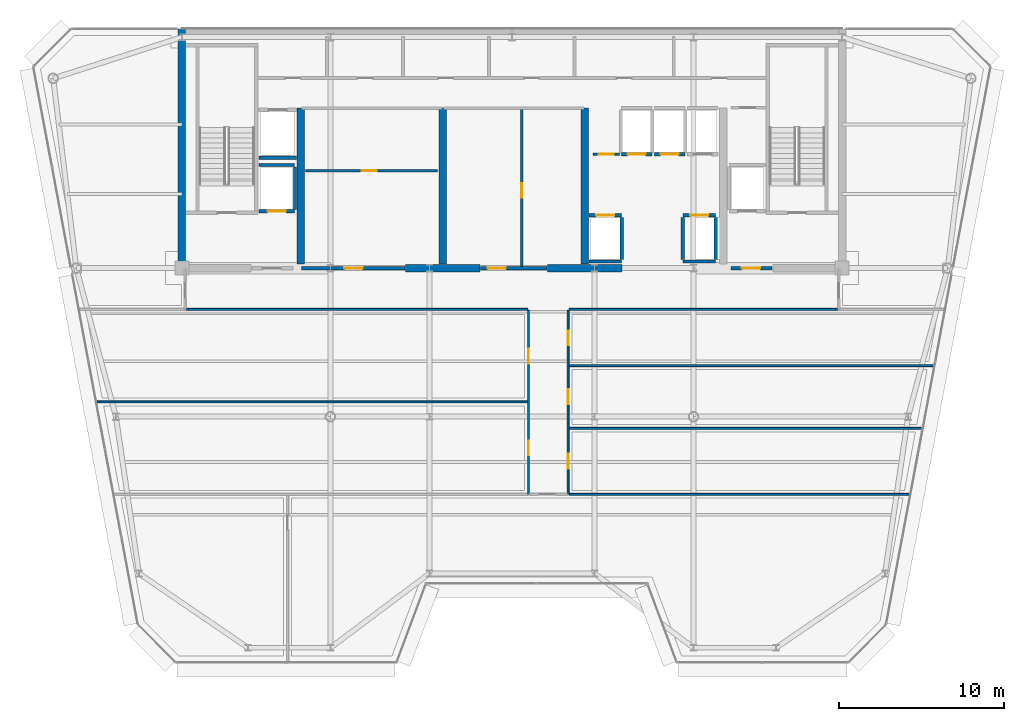
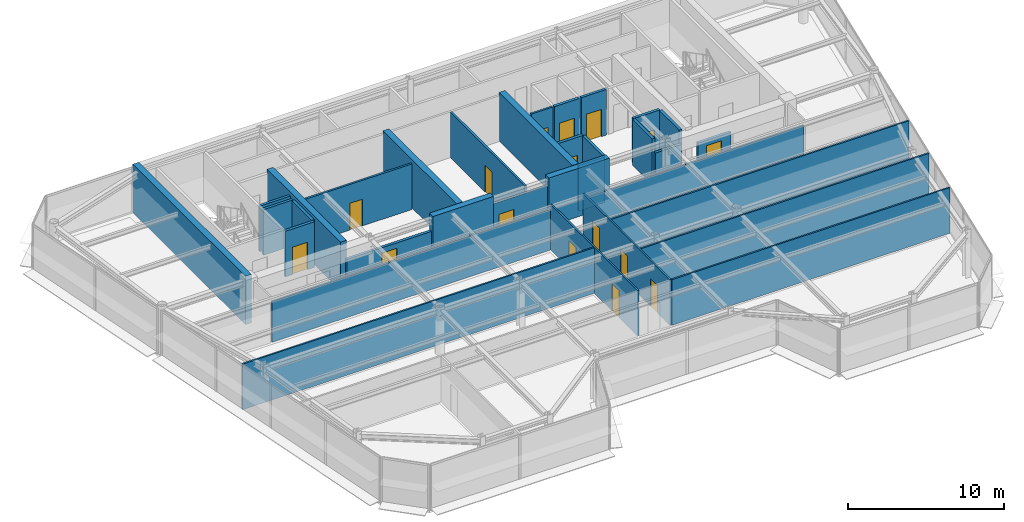
# One storey, part 11 of 20: 33 walls, 16 doors, 16 openings.
"""IFC4 building model written with IfcOpenShell, lengths in metres."""

import ifcopenshell
import ifcopenshell.guid

model = None  # the IFC model being written
_history = None  # IfcOwnerHistory: only IFC2X3 demands one
_inside = {}  # id of a spatial element -> (the spatial element, [elements in it])
_under = {}  # id of a project, library or spatial element -> (it, [spatial elements below it])
_declared = {}  # id of a project -> (the project, [libraries it declares])
_typed = {}  # id of a type object -> (the type object, [elements of that type])
_made_of = {}  # id of a material, layer set ... -> (it, [elements and type objects made of it])


def new_model(schema):
    """Start an empty IFC model of exactly this schema.

    Asked for "IFC4X3", IfcOpenShell would pick the latest addendum, in which some entities
    have other attributes; the version numbers below select the first issue.
    IFC2X3 requires an IfcOwnerHistory on every rooted entity: one is made here for all.
    """
    global model, _history
    if schema == "IFC4X3":
        model = ifcopenshell.file(schema_version=(4, 3, 0, 0))
    else:
        model = ifcopenshell.file(schema=schema)
    _inside.clear()
    _under.clear()
    _declared.clear()
    _typed.clear()
    _made_of.clear()
    _history = None
    if model.schema == "IFC2X3":
        org = make("IfcOrganization", Name="unknown")
        user = make(
            "IfcPersonAndOrganization",
            ThePerson=make("IfcPerson", FamilyName="unknown"),
            TheOrganization=org,
        )
        app = make(
            "IfcApplication",
            ApplicationDeveloper=org,
            Version="unknown",
            ApplicationFullName="unknown",
            ApplicationIdentifier="unknown",
        )
        _history = make(
            "IfcOwnerHistory",
            OwningUser=user,
            OwningApplication=app,
            ChangeAction="ADDED",
            CreationDate=0,
        )
    return model


def make(cls, **values):
    """One entity of the class cls with the attributes given. An attribute that is None is left unset."""
    return model.create_entity(
        cls, **{name: value for name, value in values.items() if value is not None}
    )


def rooted(cls, **values):
    """An entity with a GlobalId (a new one), such as an element, a storey or a relation."""
    return make(cls, GlobalId=ifcopenshell.guid.new(), OwnerHistory=_history, **values)


def si_unit(unit_type, name, prefix=None):
    """IfcSIUnit, for example si_unit("LENGTHUNIT", "METRE", prefix="MILLI")."""
    return make("IfcSIUnit", UnitType=unit_type, Prefix=prefix, Name=name)


def assignment(units):
    """IfcUnitAssignment: the units of a project."""
    return None if units is None else make("IfcUnitAssignment", Units=units)


def point(xyz):
    """IfcCartesianPoint."""
    return None if xyz is None else make("IfcCartesianPoint", Coordinates=xyz)


def direction(xyz):
    """IfcDirection."""
    return None if xyz is None else make("IfcDirection", DirectionRatios=xyz)


def frame(location, z_axis=None, x_axis=None):
    """IfcAxis2Placement3D, a coordinate frame: its origin and axes. An axis left out is left unset."""
    return make(
        "IfcAxis2Placement3D",
        Location=point(location),
        Axis=direction(z_axis),
        RefDirection=direction(x_axis),
    )


def frame_2d(location, x_axis=None):
    """IfcAxis2Placement2D, a coordinate frame in the plane: its origin and x axis."""
    return make(
        "IfcAxis2Placement2D", Location=point(location), RefDirection=direction(x_axis)
    )


def origin():
    """The frame at (0, 0, 0) with its axes left unset."""
    return frame((0.0, 0.0, 0.0))


def place(relative_to, where):
    """IfcLocalPlacement: puts the frame where relative to a parent placement (None: the world)."""
    return make(
        "IfcLocalPlacement", PlacementRelTo=relative_to, RelativePlacement=where
    )


def context(
    kind, dimensions, precision=None, world=None, true_north=None, identifier=None
):
    """IfcGeometricRepresentationContext, for example the 3D "Model" context."""
    return make(
        "IfcGeometricRepresentationContext",
        ContextIdentifier=identifier,
        ContextType=kind,
        CoordinateSpaceDimension=dimensions,
        Precision=precision,
        WorldCoordinateSystem=world,
        TrueNorth=true_north,
    )


def subcontext(parent, identifier, kind, view, scale=None):
    """IfcGeometricRepresentationSubContext, for example "Body" below "Model"."""
    return make(
        "IfcGeometricRepresentationSubContext",
        ContextIdentifier=identifier,
        ContextType=kind,
        ParentContext=parent,
        TargetScale=scale,
        TargetView=view,
    )


def project(units=None, contexts=None):
    """IfcProject with its units and contexts."""
    return rooted(
        "IfcProject",
        Name="project",
        RepresentationContexts=contexts,
        UnitsInContext=assignment(units),
    )


def spatial(cls, under=None, at=None, **own):
    """A site, building, storey or space (cls), placed at a placement, below another one or the project."""
    s = rooted(cls, ObjectPlacement=at, **own)
    if under is not None:
        _under.setdefault(under.id(), (under, []))[1].append(s)
    return s


def profile(cls, at=None, kind="AREA", **sizes):
    """A parametric profile (cls). Its sizes go by their IFC names, for example OverallWidth=200.0."""
    return make(cls, ProfileType=kind, Position=at, **sizes)


def rectangle(**sizes):
    """IfcRectangleProfileDef."""
    return profile("IfcRectangleProfileDef", **sizes)


def extrude(swept, where, along, depth):
    """IfcExtrudedAreaSolid: the profile swept, set in the frame where, extruded along a direction by depth."""
    return make(
        "IfcExtrudedAreaSolid",
        SweptArea=swept,
        Position=where,
        ExtrudedDirection=direction(along),
        Depth=depth,
    )


def shape(context_of_items, identifier, shape_type, items):
    """IfcShapeRepresentation: the items that make up one representation, for example the "Body"."""
    return make(
        "IfcShapeRepresentation",
        ContextOfItems=context_of_items,
        RepresentationIdentifier=identifier,
        RepresentationType=shape_type,
        Items=items,
    )


def source(mapping_origin, context_of_items, identifier, shape_type, items):
    """IfcRepresentationMap: a shape defined once, which mapped items show again and again."""
    return make(
        "IfcRepresentationMap",
        MappingOrigin=mapping_origin,
        MappedRepresentation=shape(context_of_items, identifier, shape_type, items),
    )


def transform(
    local_origin,
    x_axis=None,
    y_axis=None,
    z_axis=None,
    scale=None,
    scale2=None,
    scale3=None,
    uniform=True,
):
    """IfcCartesianTransformationOperator3D, or its non-uniform kind. x_axis, y_axis, z_axis: its Axis1, 2, 3."""
    if uniform:
        return make(
            "IfcCartesianTransformationOperator3D",
            Axis1=direction(x_axis),
            Axis2=direction(y_axis),
            LocalOrigin=point(local_origin),
            Scale=scale,
            Axis3=direction(z_axis),
        )
    return make(
        "IfcCartesianTransformationOperator3DnonUniform",
        Axis1=direction(x_axis),
        Axis2=direction(y_axis),
        LocalOrigin=point(local_origin),
        Scale=scale,
        Axis3=direction(z_axis),
        Scale2=scale2,
        Scale3=scale3,
    )


def mapped(mapping_source, mapping_target):
    """IfcMappedItem: shows the shape of a source again, moved by a transform."""
    return make(
        "IfcMappedItem", MappingSource=mapping_source, MappingTarget=mapping_target
    )


def material(Name=None, Category=None):
    """IfcMaterial."""
    return make("IfcMaterial", Name=Name, Category=Category)


def layer(
    of_material, thickness, ventilated=None, Name=None, Category=None, Priority=None
):
    """IfcMaterialLayer: one layer of a wall or slab, of a material (None: an air gap)."""
    return make(
        "IfcMaterialLayer",
        Material=of_material,
        LayerThickness=thickness,
        IsVentilated=ventilated,
        Name=Name,
        Category=Category,
        Priority=Priority,
    )


def layer_set(layers, Name=None):
    """IfcMaterialLayerSet."""
    return make("IfcMaterialLayerSet", MaterialLayers=layers, LayerSetName=Name)


def made_of(thing, what):
    """Note that an element or type object is made of a material, layer set ...; save() writes the relation."""
    if what is not None:
        _made_of.setdefault(what.id(), (what, []))[1].append(thing)
    return thing


def type_object(cls, material=None, **own):
    """A type object (cls), such as IfcWallType, which elements share."""
    return made_of(rooted(cls, **own), material)


def element(
    cls,
    number,
    at=None,
    inside=None,
    cuts=None,
    type_object=None,
    material=None,
    context=None,
    identifier="Body",
    shape_type=None,
    held_by="IfcProductDefinitionShape",
    body=None,
    shapes=None,
    **own,
):
    """One element of the class cls, such as IfcWall. Its Tag is "e" and its number.

    at: its placement. inside: the storey or other place that contains it. cuts: it is an
    opening in that element (IfcRelVoidsElement). A single representation is given by context,
    identifier, shape_type and body (its items); several are given by shapes. held_by: the class
    of the entity that holds the representations. save() writes the other relations.
    """
    e = rooted(cls, Tag="e%d" % number, ObjectPlacement=at, **own)
    if body is not None:
        shapes = [shape(context, identifier, shape_type, body)]
    if shapes is not None:
        e.Representation = make(held_by, Representations=shapes)
    if inside is not None:
        _inside.setdefault(inside.id(), (inside, []))[1].append(e)
    if cuts is not None:
        rooted(
            "IfcRelVoidsElement", RelatingBuildingElement=cuts, RelatedOpeningElement=e
        )
    if type_object is not None:
        _typed.setdefault(type_object.id(), (type_object, []))[1].append(e)
    return made_of(e, material)


def fill(opening, filler):
    """IfcRelFillsElement: the door or window that sits in an opening."""
    return rooted(
        "IfcRelFillsElement",
        RelatingOpeningElement=opening,
        RelatedBuildingElement=filler,
    )


def aggregate(whole, parts):
    """IfcRelAggregates: a whole, such as a stair, and the parts it consists of."""
    return rooted("IfcRelAggregates", RelatingObject=whole, RelatedObjects=parts)


def save(model, path):
    """Write the relations noted so far, then the file.

    IfcRelAggregates (storeys below a building ...), IfcRelContainedInSpatialStructure (elements
    in a storey), IfcRelDefinesByType, IfcRelAssociatesMaterial and IfcRelDeclares: one each for
    every whole, place, type object, material and project.
    """
    for whole, parts in _under.values():
        aggregate(whole, parts)
    for where, things in _inside.values():
        rooted(
            "IfcRelContainedInSpatialStructure",
            RelatedElements=things,
            RelatingStructure=where,
        )
    for kind, things in _typed.values():
        rooted("IfcRelDefinesByType", RelatedObjects=things, RelatingType=kind)
    for what, things in _made_of.values():
        rooted("IfcRelAssociatesMaterial", RelatedObjects=things, RelatingMaterial=what)
    for by, libraries in _declared.values():
        rooted("IfcRelDeclares", RelatingContext=by, RelatedDefinitions=libraries)
    model.write(path)


model = new_model("IFC4")

# Units and contexts
model_context = context("Model", 3, precision=1e-05, world=origin(), true_north=direction((0.0, 1.0)))
body_context = subcontext(model_context, "Body", "Model", "MODEL_VIEW")
ifc_project = project(units=[si_unit("LENGTHUNIT", "METRE"), si_unit("AREAUNIT", "SQUARE_METRE"), si_unit("VOLUMEUNIT", "CUBIC_METRE"), si_unit("PLANEANGLEUNIT", "RADIAN"), si_unit("MASSUNIT", "GRAM", prefix="KILO")], contexts=[model_context])

# Site, building, storey
site_placement = place(None, origin())
site = spatial("IfcSite", under=ifc_project, at=site_placement, CompositionType="ELEMENT")
building_placement = place(site_placement, origin())
building = spatial("IfcBuilding", under=site, at=building_placement, Name="Vaeldorn Concourse Tower", CompositionType="ELEMENT")
storey_placement = place(building_placement, frame((0.0, 0.0, 295.39990234375)))
storey = spatial("IfcBuildingStorey", under=building, at=storey_placement, Name="L76", CompositionType="ELEMENT", Elevation=295.39990234375)

# Walls
ifc_material_1 = material(Name="Concrete C50/60", Category="concrete")
ifc_layer_1 = layer(ifc_material_1, 0.449951171875)
ifc_layer_set_1 = layer_set([ifc_layer_1], Name="Concrete C50/60")
wall_type_1 = type_object("IfcWallType", Name="WL-CORE-450", PredefinedType="SHEAR", material=ifc_layer_set_1)
wall_1_placement = place(storey_placement, frame((14.0, 36.5, 0.0), z_axis=(0.0, 0.0, 1.0), x_axis=(0.0, 1.0, 0.0)))
element("IfcWall", 1, at=wall_1_placement, inside=storey, type_object=wall_type_1, Name="Rear Core Shear Wall L76 W1", PredefinedType="SHEAR", context=body_context, shape_type="SweptSolid", body=[
    extrude(rectangle(XDim=14.5, YDim=0.449951171875, at=frame_2d((7.25, 0.0))), origin(), (0.0, 0.0, 1.0), 3.800048828125),
])
for number, where, z_axis, x_axis, name in (
    (2, (27.550048828125, 36.5, 0.0), (0.0, 0.0, 1.0), (1.0, 0.0, 0.0), "Rear Core Shear Wall L76 S2"),
    (3, (36.14990234375, 36.5, 0.0), (0.0, 0.0, 1.0), (1.0, 0.0, 0.0), "Rear Core Shear Wall L76 S3"),
):
    element("IfcWall", number, at=place(storey_placement, frame(where, z_axis=z_axis, x_axis=x_axis)), inside=storey, type_object=wall_type_1, Name=name, PredefinedType="SHEAR", context=body_context, shape_type="SweptSolid", body=[
        extrude(rectangle(XDim=4.5, YDim=0.449951171875, at=frame_2d((2.25, 0.0))), origin(), (0.0, 0.0, 1.0), 3.800048828125),
    ])
for number, where, z_axis, x_axis, name in (
    (4, (21.199951171875, 36.7451171875, 0.0), (0.0, 0.0, 1.0), (0.0, 1.0, 0.0), "Rear Core Shear Wall L76 M1"),
    (5, (29.800048828125, 36.7451171875, 0.0), (0.0, 0.0, 1.0), (0.0, 1.0, 0.0), "Rear Core Shear Wall L76 M2"),
    (6, (38.39990234375, 36.7451171875, 0.0), (0.0, 0.0, 1.0), (0.0, 1.0, 0.0), "Rear Core Shear Wall L76 M3"),
):
    element("IfcWall", number, at=place(storey_placement, frame(where, z_axis=z_axis, x_axis=x_axis)), inside=storey, type_object=wall_type_1, Name=name, PredefinedType="SHEAR", context=body_context, shape_type="SweptSolid", body=[
        extrude(rectangle(XDim=9.454833984375, YDim=0.449951171875, at=frame_2d((4.7275390625, 0.0))), origin(), (0.0, 0.0, 1.0), 3.800048828125),
    ])
ifc_material_2 = material(Name="Gypsum Board Partition", Category="gypsum")
ifc_layer_2 = layer(ifc_material_2, 0.1201171875)
ifc_layer_set_2 = layer_set([ifc_layer_2], Name="Gypsum Board Partition")
wall_type_2 = type_object("IfcWallType", Name="WL-PART-120", PredefinedType="PARTITIONING", material=ifc_layer_set_2)
wall_2_placement = place(storey_placement, frame((14.260009765625, 34.0, 0.0), z_axis=(0.0, 0.0, 1.0), x_axis=(1.0, 0.0, 0.0)))
element("IfcWall", 7, at=wall_2_placement, inside=storey, type_object=wall_type_2, Name="Interior Wall PW-L76-C3SW", PredefinedType="PARTITIONING", context=body_context, shape_type="SweptSolid", body=[
    extrude(rectangle(XDim=20.679931640625, YDim=0.1201171875, at=frame_2d((10.33984375, 0.0))), origin(), (0.0, 0.0, 1.0), 3.210205078125),
])
wall_3_placement = place(storey_placement, frame((37.4599609375, 34.0, 0.0), z_axis=(0.0, 0.0, 1.0), x_axis=(1.0, 0.0, 0.0)))
element("IfcWall", 8, at=wall_3_placement, inside=storey, type_object=wall_type_2, Name="Interior Wall PW-L76-C3SE", PredefinedType="PARTITIONING", context=body_context, shape_type="SweptSolid", body=[
    extrude(rectangle(XDim=16.280029296875, YDim=0.1201171875, at=frame_2d((8.14013671875, 0.0))), origin(), (0.0, 0.0, 1.0), 3.210205078125),
])

# Wall, openings, doors
wall_4_placement = place(storey_placement, frame((35.0, 22.800048828125, 0.0), z_axis=(0.0, 0.0, 1.0), x_axis=(0.0, 1.0, 0.0)))
wall_4 = element("IfcWall", 9, at=wall_4_placement, inside=storey, type_object=wall_type_2, Name="Interior Wall PW-L76-CSPW", PredefinedType="PARTITIONING", context=body_context, shape_type="SweptSolid", body=[
    extrude(rectangle(XDim=11.139892578125, YDim=0.1201171875, at=frame_2d((5.56982421875, 0.0))), origin(), (0.0, 0.0, 1.0), 3.580078125),
])
opening_1_placement = place(wall_4_placement, frame((2.35009765625, 0.0, 0.0)))
opening_1 = element("IfcOpeningElement", 10, at=opening_1_placement, cuts=wall_4, Name="Opening D-03", PredefinedType="OPENING", context=body_context, shape_type="SweptSolid", body=[
    extrude(rectangle(XDim=0.89990234375, YDim=2.14990234375, at=frame_2d((0.449951171875, 1.074951171875))), frame((0.0, 0.070068359375, 0.0), z_axis=(0.0, -1.0, 0.0), x_axis=(1.0, 0.0, 0.0)), (0.0, 0.0, 1.0), 0.14013671875),
])
opening_2_placement = place(wall_4_placement, frame((7.919921875, 0.0, 0.0)))
opening_2 = element("IfcOpeningElement", 11, at=opening_2_placement, cuts=wall_4, Name="Opening D-03", PredefinedType="OPENING", context=body_context, shape_type="SweptSolid", body=[
    extrude(rectangle(XDim=0.89990234375, YDim=2.14990234375, at=frame_2d((0.449951171875, 1.074951171875))), frame((0.0, 0.070068359375, 0.0), z_axis=(0.0, -1.0, 0.0), x_axis=(1.0, 0.0, 0.0)), (0.0, 0.0, 1.0), 0.14013671875),
])
ifc_material_3 = material(Name="Acoustic Bronze-Framed Glass Door", Category="glass")
door_type_1 = type_object("IfcDoorType", Name="DR-INT-900", OperationType="NOTDEFINED", PredefinedType="DOOR", material=ifc_material_3)
shared_shape_1 = source(origin(), body_context, "Body", "SweptSolid", [
    extrude(rectangle(XDim=0.89990234375, YDim=2.14990234375, at=frame_2d((0.449951171875, 1.074951171875))), frame((0.0, 0.02490234375, 0.0), z_axis=(0.0, -1.0, 0.0), x_axis=(1.0, 0.0, 0.0)), (0.0, 0.0, 1.0), 0.050048828125),
])
door_1_placement = place(opening_1_placement, origin())
door_1 = element("IfcDoor", 12, at=door_1_placement, inside=storey, type_object=door_type_1, Name="Interior Door DR-L76-Z3W1", OperationType="SINGLE_SWING_LEFT", OverallHeight=2.14990234375, OverallWidth=0.89990234375, PredefinedType="DOOR", context=body_context, shape_type="MappedRepresentation", body=[
    mapped(shared_shape_1, transform((0.0, 0.0, 0.0), scale=1.0)),
])
fill(opening_1, door_1)
door_2_placement = place(opening_2_placement, origin())
door_2 = element("IfcDoor", 13, at=door_2_placement, inside=storey, type_object=door_type_1, Name="Interior Door DR-L76-Z3W2", OperationType="SINGLE_SWING_RIGHT", OverallHeight=2.14990234375, OverallWidth=0.89990234375, PredefinedType="DOOR", context=body_context, shape_type="MappedRepresentation", body=[
    mapped(shared_shape_1, transform((0.0, 0.0, 0.0), scale=1.0)),
])
fill(opening_2, door_2)

wall_5_placement = place(storey_placement, frame((37.39990234375, 22.800048828125, 0.0), z_axis=(0.0, 0.0, 1.0), x_axis=(0.0, 1.0, 0.0)))
wall_5 = element("IfcWall", 14, at=wall_5_placement, inside=storey, type_object=wall_type_2, Name="Interior Wall PW-L76-CSPE", PredefinedType="PARTITIONING", context=body_context, shape_type="SweptSolid", body=[
    extrude(rectangle(XDim=11.139892578125, YDim=0.1201171875, at=frame_2d((5.56982421875, 0.0))), origin(), (0.0, 0.0, 1.0), 3.580078125),
])
opening_3_placement = place(wall_5_placement, frame((1.550048828125, 0.0, 0.0)))
opening_3 = element("IfcOpeningElement", 15, at=opening_3_placement, cuts=wall_5, Name="Opening D-03", PredefinedType="OPENING", context=body_context, shape_type="SweptSolid", body=[
    extrude(rectangle(XDim=0.89990234375, YDim=2.14990234375, at=frame_2d((0.449951171875, 1.074951171875))), frame((0.0, 0.070068359375, 0.0), z_axis=(0.0, -1.0, 0.0), x_axis=(1.0, 0.0, 0.0)), (0.0, 0.0, 1.0), 0.14013671875),
])
opening_4_placement = place(wall_5_placement, frame((5.449951171875, 0.0, 0.0)))
opening_4 = element("IfcOpeningElement", 16, at=opening_4_placement, cuts=wall_5, Name="Opening D-03", PredefinedType="OPENING", context=body_context, shape_type="SweptSolid", body=[
    extrude(rectangle(XDim=0.89990234375, YDim=2.14990234375, at=frame_2d((0.449951171875, 1.074951171875))), frame((0.0, 0.070068359375, 0.0), z_axis=(0.0, -1.0, 0.0), x_axis=(1.0, 0.0, 0.0)), (0.0, 0.0, 1.0), 0.14013671875),
])
opening_5_placement = place(wall_5_placement, frame((9.02001953125, 0.0, 0.0)))
opening_5 = element("IfcOpeningElement", 17, at=opening_5_placement, cuts=wall_5, Name="Opening D-03", PredefinedType="OPENING", context=body_context, shape_type="SweptSolid", body=[
    extrude(rectangle(XDim=0.89990234375, YDim=2.14990234375, at=frame_2d((0.449951171875, 1.074951171875))), frame((0.0, 0.070068359375, 0.0), z_axis=(0.0, -1.0, 0.0), x_axis=(1.0, 0.0, 0.0)), (0.0, 0.0, 1.0), 0.14013671875),
])
door_3_placement = place(opening_3_placement, origin())
door_3 = element("IfcDoor", 18, at=door_3_placement, inside=storey, type_object=door_type_1, Name="Interior Door DR-L76-Z3E1", OperationType="SINGLE_SWING_RIGHT", OverallHeight=2.14990234375, OverallWidth=0.89990234375, PredefinedType="DOOR", context=body_context, shape_type="MappedRepresentation", body=[
    mapped(shared_shape_1, transform((0.0, 0.0, 0.0), scale=1.0)),
])
fill(opening_3, door_3)
door_4_placement = place(opening_4_placement, origin())
door_4 = element("IfcDoor", 19, at=door_4_placement, inside=storey, type_object=door_type_1, Name="Interior Door DR-L76-Z3E2", OperationType="SINGLE_SWING_LEFT", OverallHeight=2.14990234375, OverallWidth=0.89990234375, PredefinedType="DOOR", context=body_context, shape_type="MappedRepresentation", body=[
    mapped(shared_shape_1, transform((0.0, 0.0, 0.0), scale=1.0)),
])
fill(opening_4, door_4)
door_5_placement = place(opening_5_placement, origin())
door_5 = element("IfcDoor", 20, at=door_5_placement, inside=storey, type_object=door_type_1, Name="Interior Door DR-L76-Z3E3", OperationType="SINGLE_SWING_RIGHT", OverallHeight=2.14990234375, OverallWidth=0.89990234375, PredefinedType="DOOR", context=body_context, shape_type="MappedRepresentation", body=[
    mapped(shared_shape_1, transform((0.0, 0.0, 0.0), scale=1.0)),
])
fill(opening_5, door_5)

# Walls
wall_6_placement = place(storey_placement, frame((8.84521484375, 28.39990234375, 0.0), z_axis=(0.0, 0.0, 1.0), x_axis=(1.0, 0.0, 0.0)))
element("IfcWall", 21, at=wall_6_placement, inside=storey, type_object=wall_type_2, Name="Interior Wall PW-L76-Z3WY1", PredefinedType="PARTITIONING", context=body_context, shape_type="SweptSolid", body=[
    extrude(rectangle(XDim=26.0947265625, YDim=0.1201171875, at=frame_2d((13.04736328125, 0.0))), origin(), (0.0, 0.0, 1.0), 3.580078125),
])
wall_7_placement = place(storey_placement, frame((37.4599609375, 26.800048828125, 0.0), z_axis=(0.0, 0.0, 1.0), x_axis=(1.0, 0.0, 0.0)))
element("IfcWall", 22, at=wall_7_placement, inside=storey, type_object=wall_type_2, Name="Interior Wall PW-L76-Z3EY1", PredefinedType="PARTITIONING", context=body_context, shape_type="SweptSolid", body=[
    extrude(rectangle(XDim=21.394775390625, YDim=0.1201171875, at=frame_2d((10.697265625, 0.0))), origin(), (0.0, 0.0, 1.0), 3.580078125),
])
wall_8_placement = place(storey_placement, frame((37.4599609375, 30.60009765625, 0.0), z_axis=(0.0, 0.0, 1.0), x_axis=(1.0, 0.0, 0.0)))
element("IfcWall", 23, at=wall_8_placement, inside=storey, type_object=wall_type_2, Name="Interior Wall PW-L76-Z3EY2", PredefinedType="PARTITIONING", context=body_context, shape_type="SweptSolid", body=[
    extrude(rectangle(XDim=22.107177734375, YDim=0.1201171875, at=frame_2d((11.0537109375, 0.0))), origin(), (0.0, 0.0, 1.0), 3.580078125),
])
wall_9_placement = place(storey_placement, frame((37.4599609375, 22.800048828125, 0.0), z_axis=(0.0, 0.0, 1.0), x_axis=(1.0, 0.0, 0.0)))
element("IfcWall", 24, at=wall_9_placement, inside=storey, type_object=wall_type_2, Name="Interior Wall PW-L76-Z3SEL", PredefinedType="PARTITIONING", context=body_context, shape_type="SweptSolid", body=[
    extrude(rectangle(XDim=20.64501953125, YDim=0.1201171875, at=frame_2d((10.322509765625, 0.0))), origin(), (0.0, 0.0, 1.0), 3.580078125),
])

# Wall, opening, door
ifc_layer_3 = layer(ifc_material_2, 0.14990234375)
ifc_layer_set_3 = layer_set([ifc_layer_3], Name="Gypsum Board Partition")
wall_type_3 = type_object("IfcWallType", Name="WL-PART-150", PredefinedType="PARTITIONING", material=ifc_layer_set_3)
wall_10_placement = place(storey_placement, frame((21.5, 42.39990234375, 0.0), z_axis=(0.0, 0.0, 1.0), x_axis=(1.0, 0.0, 0.0)))
wall_10 = element("IfcWall", 25, at=wall_10_placement, inside=storey, type_object=wall_type_3, Name="Interior Wall CW-L76-R1M", PredefinedType="PARTITIONING", context=body_context, shape_type="SweptSolid", body=[
    extrude(rectangle(XDim=8.0, YDim=0.14990234375, at=frame_2d((4.0, 0.0))), origin(), (0.0, 0.0, 1.0), 3.580078125),
])
opening_6_placement = place(wall_10_placement, frame((3.39990234375, 0.0, 0.0)))
opening_6 = element("IfcOpeningElement", 26, at=opening_6_placement, cuts=wall_10, Name="Opening D-02", PredefinedType="OPENING", context=body_context, shape_type="SweptSolid", body=[
    extrude(rectangle(XDim=0.89990234375, YDim=2.10009765625, at=frame_2d((0.449951171875, 1.050048828125))), frame((0.0, 0.0849609375, 0.0), z_axis=(0.0, -1.0, 0.0), x_axis=(1.0, 0.0, 0.0)), (0.0, 0.0, 1.0), 0.169921875),
])
ifc_material_4 = material(Name="Fire-Rated Timber Leaf", Category="wood")
door_type_2 = type_object("IfcDoorType", Name="DR-FD30-900", OperationType="NOTDEFINED", PredefinedType="DOOR", material=ifc_material_4)
shared_shape_2 = source(origin(), body_context, "Body", "SweptSolid", [
    extrude(rectangle(XDim=0.89990234375, YDim=2.10009765625, at=frame_2d((0.449951171875, 1.050048828125))), frame((0.0, 0.02490234375, 0.0), z_axis=(0.0, -1.0, 0.0), x_axis=(1.0, 0.0, 0.0)), (0.0, 0.0, 1.0), 0.050048828125),
])
door_6_placement = place(opening_6_placement, origin())
door_6 = element("IfcDoor", 27, at=door_6_placement, inside=storey, type_object=door_type_2, Name="Interior Door DR-L76-R1M", OperationType="SINGLE_SWING_RIGHT", OverallHeight=2.10009765625, OverallWidth=0.89990234375, PredefinedType="DOOR", context=body_context, shape_type="MappedRepresentation", body=[
    mapped(shared_shape_2, transform((0.0, 0.0, 0.0), scale=1.0)),
])
fill(opening_6, door_6)

wall_11_placement = place(storey_placement, frame((34.60009765625, 36.56005859375, 0.0), z_axis=(0.0, 0.0, 1.0), x_axis=(0.0, 1.0, 0.0)))
wall_11 = element("IfcWall", 28, at=wall_11_placement, inside=storey, type_object=wall_type_3, Name="Interior Wall CW-L76-R2M", PredefinedType="PARTITIONING", context=body_context, shape_type="SweptSolid", body=[
    extrude(rectangle(XDim=9.579833984375, YDim=0.14990234375, at=frame_2d((4.7900390625, 0.0))), origin(), (0.0, 0.0, 1.0), 3.580078125),
])
opening_7_placement = place(wall_11_placement, frame((4.199951171875, 0.0, 0.0)))
opening_7 = element("IfcOpeningElement", 29, at=opening_7_placement, cuts=wall_11, Name="Opening D-02", PredefinedType="OPENING", context=body_context, shape_type="SweptSolid", body=[
    extrude(rectangle(XDim=0.89990234375, YDim=2.10009765625, at=frame_2d((0.449951171875, 1.050048828125))), frame((0.0, 0.0849609375, 0.0), z_axis=(0.0, -1.0, 0.0), x_axis=(1.0, 0.0, 0.0)), (0.0, 0.0, 1.0), 0.169921875),
])
door_7_placement = place(opening_7_placement, origin())
door_7 = element("IfcDoor", 30, at=door_7_placement, inside=storey, type_object=door_type_2, Name="Interior Door DR-L76-R2E", OperationType="SINGLE_SWING_RIGHT", OverallHeight=2.10009765625, OverallWidth=0.89990234375, PredefinedType="DOOR", context=body_context, shape_type="MappedRepresentation", body=[
    mapped(shared_shape_2, transform((0.0, 0.0, 0.0), scale=1.0)),
])
fill(opening_7, door_7)

wall_12_placement = place(storey_placement, frame((38.919921875, 43.39990234375, 0.0), z_axis=(0.0, 0.0, 1.0), x_axis=(1.0, 0.0, 0.0)))
wall_12 = element("IfcWall", 31, at=wall_12_placement, inside=storey, type_object=wall_type_3, Name="Interior Wall CW-L76-CCLINK", PredefinedType="PARTITIONING", context=body_context, shape_type="SweptSolid", body=[
    extrude(rectangle(XDim=1.60009765625, YDim=0.14990234375, at=frame_2d((0.800048828125, 0.0))), origin(), (0.0, 0.0, 1.0), 3.580078125),
])
opening_8_placement = place(wall_12_placement, frame((0.35009765625, 0.0, 0.0)))
opening_8 = element("IfcOpeningElement", 32, at=opening_8_placement, cuts=wall_12, Name="Opening D-02", PredefinedType="OPENING", context=body_context, shape_type="SweptSolid", body=[
    extrude(rectangle(XDim=0.89990234375, YDim=2.10009765625, at=frame_2d((0.449951171875, 1.050048828125))), frame((0.0, 0.0849609375, 0.0), z_axis=(0.0, -1.0, 0.0), x_axis=(1.0, 0.0, 0.0)), (0.0, 0.0, 1.0), 0.169921875),
])
door_8_placement = place(opening_8_placement, origin())
door_8 = element("IfcDoor", 33, at=door_8_placement, inside=storey, type_object=door_type_2, Name="Interior Door DR-L76-CCLINK", OperationType="SINGLE_SWING_LEFT", OverallHeight=2.10009765625, OverallWidth=0.89990234375, PredefinedType="DOOR", context=body_context, shape_type="MappedRepresentation", body=[
    mapped(shared_shape_2, transform((0.0, 0.0, 0.0), scale=1.0)),
])
fill(opening_8, door_8)

ifc_layer_4 = layer(ifc_material_1, 0.199951171875)
ifc_layer_set_4 = layer_set([ifc_layer_4], Name="Concrete C50/60")
wall_type_4 = type_object("IfcWallType", Name="WL-SHAFT-200", PredefinedType="SOLIDWALL", material=ifc_layer_set_4)
wall_13_placement = place(storey_placement, frame((47.280029296875, 36.5, 0.0), z_axis=(0.0, 0.0, 1.0), x_axis=(1.0, 0.0, 0.0)))
wall_13 = element("IfcWall", 34, at=wall_13_placement, inside=storey, type_object=wall_type_4, Name="Interior Wall CW-L76-FF2S", PredefinedType="SOLIDWALL", context=body_context, shape_type="SweptSolid", body=[
    extrude(rectangle(XDim=2.469970703125, YDim=0.199951171875, at=frame_2d((1.23486328125, 0.0))), origin(), (0.0, 0.0, 1.0), 2.570068359375),
])
opening_9_placement = place(wall_13_placement, frame((0.64990234375, 0.0, 0.0)))
opening_9 = element("IfcOpeningElement", 35, at=opening_9_placement, cuts=wall_13, Name="Opening D-01", PredefinedType="OPENING", context=body_context, shape_type="SweptSolid", body=[
    extrude(rectangle(XDim=1.10009765625, YDim=2.14990234375, at=frame_2d((0.550048828125, 1.074951171875))), frame((0.0, 0.10986328125, 0.0), z_axis=(0.0, -1.0, 0.0), x_axis=(1.0, 0.0, 0.0)), (0.0, 0.0, 1.0), 0.219970703125),
])
ifc_material_5 = material(Name="Fire-Rated Timber and Steel Leaf", Category="steel")
door_type_3 = type_object("IfcDoorType", Name="DR-FD60-1100", OperationType="NOTDEFINED", PredefinedType="DOOR", material=ifc_material_5)
shared_shape_3 = source(origin(), body_context, "Body", "SweptSolid", [
    extrude(rectangle(XDim=1.10009765625, YDim=2.14990234375, at=frame_2d((0.550048828125, 1.074951171875))), frame((0.0, 0.02490234375, 0.0), z_axis=(0.0, -1.0, 0.0), x_axis=(1.0, 0.0, 0.0)), (0.0, 0.0, 1.0), 0.050048828125),
])
door_9_placement = place(opening_9_placement, origin())
door_9 = element("IfcDoor", 36, at=door_9_placement, inside=storey, type_object=door_type_3, Name="Interior Door DR-L76-FF2W", OperationType="SINGLE_SWING_LEFT", OverallHeight=2.14990234375, OverallWidth=1.10009765625, PredefinedType="DOOR", context=body_context, shape_type="MappedRepresentation", body=[
    mapped(shared_shape_3, transform((0.0, 0.0, 0.0), scale=1.0)),
])
fill(opening_9, door_9)

wall_14_placement = place(storey_placement, frame((38.669921875, 39.699951171875, 0.0), z_axis=(0.0, 0.0, 1.0), x_axis=(1.0, 0.0, 0.0)))
wall_14 = element("IfcWall", 37, at=wall_14_placement, inside=storey, type_object=wall_type_4, Name="Interior Wall CW-L76-LF-LF-13", PredefinedType="SOLIDWALL", context=body_context, shape_type="SweptSolid", body=[
    extrude(rectangle(XDim=1.9599609375, YDim=0.199951171875, at=frame_2d((0.97998046875, 0.0))), origin(), (0.0, 0.0, 1.0), 3.580078125),
])
opening_10_placement = place(wall_14_placement, frame((0.429931640625, 0.0, 0.0)))
opening_10 = element("IfcOpeningElement", 38, at=opening_10_placement, cuts=wall_14, Name="Opening LD-1", PredefinedType="OPENING", context=body_context, shape_type="SweptSolid", body=[
    extrude(rectangle(XDim=1.10009765625, YDim=2.14990234375, at=frame_2d((0.550048828125, 1.074951171875))), frame((0.0, 0.10986328125, 0.0), z_axis=(0.0, -1.0, 0.0), x_axis=(1.0, 0.0, 0.0)), (0.0, 0.0, 1.0), 0.219970703125),
])
ifc_material_6 = material(Name="Anodised Bronze Aluminium", Category="aluminium")
door_type_4 = type_object("IfcDoorType", Name="DR-LIFT-SLIDE-1100", OperationType="DOUBLE_DOOR_SLIDING", PredefinedType="DOOR", material=ifc_material_6)
door_10_placement = place(opening_10_placement, origin())
door_10 = element("IfcDoor", 39, at=door_10_placement, inside=storey, type_object=door_type_4, Name="Lift Landing Door LD-L76-LF-13", OperationType="DOUBLE_DOOR_SLIDING", OverallHeight=2.14990234375, OverallWidth=1.10009765625, PredefinedType="DOOR", context=body_context, shape_type="MappedRepresentation", body=[
    mapped(shared_shape_3, transform((0.0, 0.0, 0.0), scale=1.0)),
])
fill(opening_10, door_10)

# Walls
wall_15_placement = place(storey_placement, frame((38.669921875, 36.89990234375, 0.0), z_axis=(0.0, 0.0, 1.0), x_axis=(1.0, 0.0, 0.0)))
element("IfcWall", 40, at=wall_15_placement, inside=storey, type_object=wall_type_4, Name="Interior Wall CW-L76-LFB-LF-13", PredefinedType="SOLIDWALL", context=body_context, shape_type="SweptSolid", body=[
    extrude(rectangle(XDim=1.9599609375, YDim=0.199951171875, at=frame_2d((0.97998046875, 0.0))), origin(), (0.0, 0.0, 1.0), 3.580078125),
])
wall_16_placement = place(storey_placement, frame((40.64990234375, 37.02001953125, 0.0), z_axis=(0.0, 0.0, 1.0), x_axis=(0.0, 1.0, 0.0)))
element("IfcWall", 41, at=wall_16_placement, inside=storey, type_object=wall_type_4, Name="Interior Wall CW-L76-LFE-LF-13", PredefinedType="SOLIDWALL", context=body_context, shape_type="SweptSolid", body=[
    extrude(rectangle(XDim=2.56005859375, YDim=0.199951171875, at=frame_2d((1.280029296875, 0.0))), origin(), (0.0, 0.0, 1.0), 3.580078125),
])

# Wall, opening, door
wall_17_placement = place(storey_placement, frame((44.3701171875, 39.699951171875, 0.0), z_axis=(0.0, 0.0, 1.0), x_axis=(1.0, 0.0, 0.0)))
wall_17 = element("IfcWall", 42, at=wall_17_placement, inside=storey, type_object=wall_type_4, Name="Interior Wall CW-L76-LF-LF-14", PredefinedType="SOLIDWALL", context=body_context, shape_type="SweptSolid", body=[
    extrude(rectangle(XDim=1.9599609375, YDim=0.199951171875, at=frame_2d((0.97998046875, 0.0))), origin(), (0.0, 0.0, 1.0), 3.580078125),
])
opening_11_placement = place(wall_17_placement, frame((0.429931640625, 0.0, 0.0)))
opening_11 = element("IfcOpeningElement", 43, at=opening_11_placement, cuts=wall_17, Name="Opening LD-1", PredefinedType="OPENING", context=body_context, shape_type="SweptSolid", body=[
    extrude(rectangle(XDim=1.10009765625, YDim=2.14990234375, at=frame_2d((0.550048828125, 1.074951171875))), frame((0.0, 0.10986328125, 0.0), z_axis=(0.0, -1.0, 0.0), x_axis=(1.0, 0.0, 0.0)), (0.0, 0.0, 1.0), 0.219970703125),
])
door_11_placement = place(opening_11_placement, origin())
door_11 = element("IfcDoor", 44, at=door_11_placement, inside=storey, type_object=door_type_4, Name="Lift Landing Door LD-L76-LF-14", OperationType="DOUBLE_DOOR_SLIDING", OverallHeight=2.14990234375, OverallWidth=1.10009765625, PredefinedType="DOOR", context=body_context, shape_type="MappedRepresentation", body=[
    mapped(shared_shape_3, transform((0.0, 0.0, 0.0), scale=1.0)),
])
fill(opening_11, door_11)

# Walls
wall_18_placement = place(storey_placement, frame((44.3701171875, 36.89990234375, 0.0), z_axis=(0.0, 0.0, 1.0), x_axis=(1.0, 0.0, 0.0)))
element("IfcWall", 45, at=wall_18_placement, inside=storey, type_object=wall_type_4, Name="Interior Wall CW-L76-LFB-LF-14", PredefinedType="SOLIDWALL", context=body_context, shape_type="SweptSolid", body=[
    extrude(rectangle(XDim=1.9599609375, YDim=0.199951171875, at=frame_2d((0.97998046875, 0.0))), origin(), (0.0, 0.0, 1.0), 2.570068359375),
])
for number, where, z_axis, x_axis, name in (
    (46, (44.35009765625, 37.02001953125, 0.0), (0.0, 0.0, 1.0), (0.0, 1.0, 0.0), "Interior Wall CW-L76-LFW-LF-14"),
    (47, (46.35009765625, 37.02001953125, 0.0), (0.0, 0.0, 1.0), (0.0, 1.0, 0.0), "Interior Wall CW-L76-LFE-LF-14"),
):
    element("IfcWall", number, at=place(storey_placement, frame(where, z_axis=z_axis, x_axis=x_axis)), inside=storey, type_object=wall_type_4, Name=name, PredefinedType="SOLIDWALL", context=body_context, shape_type="SweptSolid", body=[
        extrude(rectangle(XDim=2.56005859375, YDim=0.199951171875, at=frame_2d((1.280029296875, 0.0))), origin(), (0.0, 0.0, 1.0), 3.580078125),
    ])

# Wall, opening, door
wall_19_placement = place(storey_placement, frame((40.6201171875, 43.39990234375, 0.0), z_axis=(0.0, 0.0, 1.0), x_axis=(1.0, 0.0, 0.0)))
wall_19 = element("IfcWall", 48, at=wall_19_placement, inside=storey, type_object=wall_type_4, Name="Interior Wall CW-L76-LF-LF-15", PredefinedType="SOLIDWALL", context=body_context, shape_type="SweptSolid", body=[
    extrude(rectangle(XDim=1.85986328125, YDim=0.199951171875, at=frame_2d((0.929931640625, 0.0))), origin(), (0.0, 0.0, 1.0), 3.580078125),
])
opening_12_placement = place(wall_19_placement, frame((0.3798828125, 0.0, 0.0)))
opening_12 = element("IfcOpeningElement", 49, at=opening_12_placement, cuts=wall_19, Name="Opening LD-1", PredefinedType="OPENING", context=body_context, shape_type="SweptSolid", body=[
    extrude(rectangle(XDim=1.10009765625, YDim=2.14990234375, at=frame_2d((0.550048828125, 1.074951171875))), frame((0.0, 0.10986328125, 0.0), z_axis=(0.0, -1.0, 0.0), x_axis=(1.0, 0.0, 0.0)), (0.0, 0.0, 1.0), 0.219970703125),
])
door_12_placement = place(opening_12_placement, origin())
door_12 = element("IfcDoor", 50, at=door_12_placement, inside=storey, type_object=door_type_4, Name="Lift Landing Door LD-L76-LF-15", OperationType="DOUBLE_DOOR_SLIDING", OverallHeight=2.14990234375, OverallWidth=1.10009765625, PredefinedType="DOOR", context=body_context, shape_type="MappedRepresentation", body=[
    mapped(shared_shape_3, transform((0.0, 0.0, 0.0), scale=1.0)),
])
fill(opening_12, door_12)

wall_20_placement = place(storey_placement, frame((42.6201171875, 43.39990234375, 0.0), z_axis=(0.0, 0.0, 1.0), x_axis=(1.0, 0.0, 0.0)))
wall_20 = element("IfcWall", 51, at=wall_20_placement, inside=storey, type_object=wall_type_4, Name="Interior Wall CW-L76-LF-LF-16", PredefinedType="SOLIDWALL", context=body_context, shape_type="SweptSolid", body=[
    extrude(rectangle(XDim=1.85986328125, YDim=0.199951171875, at=frame_2d((0.929931640625, 0.0))), origin(), (0.0, 0.0, 1.0), 3.580078125),
])
opening_13_placement = place(wall_20_placement, frame((0.3798828125, 0.0, 0.0)))
opening_13 = element("IfcOpeningElement", 52, at=opening_13_placement, cuts=wall_20, Name="Opening LD-1", PredefinedType="OPENING", context=body_context, shape_type="SweptSolid", body=[
    extrude(rectangle(XDim=1.10009765625, YDim=2.14990234375, at=frame_2d((0.550048828125, 1.074951171875))), frame((0.0, 0.10986328125, 0.0), z_axis=(0.0, -1.0, 0.0), x_axis=(1.0, 0.0, 0.0)), (0.0, 0.0, 1.0), 0.219970703125),
])
door_13_placement = place(opening_13_placement, origin())
door_13 = element("IfcDoor", 53, at=door_13_placement, inside=storey, type_object=door_type_4, Name="Lift Landing Door LD-L76-LF-16", OperationType="DOUBLE_DOOR_SLIDING", OverallHeight=2.14990234375, OverallWidth=1.10009765625, PredefinedType="DOOR", context=body_context, shape_type="MappedRepresentation", body=[
    mapped(shared_shape_3, transform((0.0, 0.0, 0.0), scale=1.0)),
])
fill(opening_13, door_13)

# Wall
wall_21_placement = place(storey_placement, frame((18.669921875, 43.199951171875, 0.0), z_axis=(0.0, 0.0, 1.0), x_axis=(1.0, 0.0, 0.0)))
element("IfcWall", 54, at=wall_21_placement, inside=storey, type_object=wall_type_4, Name="Interior Wall CW-L76-LFB-LF-SV1", PredefinedType="SOLIDWALL", context=body_context, shape_type="SweptSolid", body=[
    extrude(rectangle(XDim=2.260009765625, YDim=0.199951171875, at=frame_2d((1.1298828125, 0.0))), origin(), (0.0, 0.0, 1.0), 3.580078125),
])

# Wall, opening, door
wall_22_placement = place(storey_placement, frame((18.669921875, 39.949951171875, 0.0), z_axis=(0.0, 0.0, 1.0), x_axis=(1.0, 0.0, 0.0)))
wall_22 = element("IfcWall", 55, at=wall_22_placement, inside=storey, type_object=wall_type_4, Name="Interior Wall CW-L76-LF-LF-FF1", PredefinedType="SOLIDWALL", context=body_context, shape_type="SweptSolid", body=[
    extrude(rectangle(XDim=2.16015625, YDim=0.199951171875, at=frame_2d((1.080078125, 0.0))), origin(), (0.0, 0.0, 1.0), 3.580078125),
])
opening_14_placement = place(wall_22_placement, frame((0.530029296875, 0.0, 0.0)))
opening_14 = element("IfcOpeningElement", 56, at=opening_14_placement, cuts=wall_22, Name="Opening LD-1", PredefinedType="OPENING", context=body_context, shape_type="SweptSolid", body=[
    extrude(rectangle(XDim=1.10009765625, YDim=2.14990234375, at=frame_2d((0.550048828125, 1.074951171875))), frame((0.0, 0.10986328125, 0.0), z_axis=(0.0, -1.0, 0.0), x_axis=(1.0, 0.0, 0.0)), (0.0, 0.0, 1.0), 0.219970703125),
])
door_14_placement = place(opening_14_placement, origin())
door_14 = element("IfcDoor", 57, at=door_14_placement, inside=storey, type_object=door_type_4, Name="Lift Landing Door LD-L76-LF-FF1", OperationType="DOUBLE_DOOR_SLIDING", OverallHeight=2.14990234375, OverallWidth=1.10009765625, PredefinedType="DOOR", context=body_context, shape_type="MappedRepresentation", body=[
    mapped(shared_shape_3, transform((0.0, 0.0, 0.0), scale=1.0)),
])
fill(opening_14, door_14)

# Walls
wall_23_placement = place(storey_placement, frame((18.669921875, 42.75, 0.0), z_axis=(0.0, 0.0, 1.0), x_axis=(1.0, 0.0, 0.0)))
element("IfcWall", 58, at=wall_23_placement, inside=storey, type_object=wall_type_4, Name="Interior Wall CW-L76-LFB-LF-FF1", PredefinedType="SOLIDWALL", context=body_context, shape_type="SweptSolid", body=[
    extrude(rectangle(XDim=2.16015625, YDim=0.199951171875, at=frame_2d((1.080078125, 0.0))), origin(), (0.0, 0.0, 1.0), 3.580078125),
])
wall_24_placement = place(storey_placement, frame((20.85009765625, 40.070068359375, 0.0), z_axis=(0.0, 0.0, 1.0), x_axis=(0.0, 1.0, 0.0)))
element("IfcWall", 59, at=wall_24_placement, inside=storey, type_object=wall_type_4, Name="Interior Wall CW-L76-LFE-LF-FF1", PredefinedType="SOLIDWALL", context=body_context, shape_type="SweptSolid", body=[
    extrude(rectangle(XDim=2.559814453125, YDim=0.199951171875, at=frame_2d((1.27978515625, 0.0))), origin(), (0.0, 0.0, 1.0), 3.580078125),
])

# Wall, opening, door
wall_25_placement = place(storey_placement, frame((21.25, 36.5, 0.0), z_axis=(0.0, 0.0, 1.0), x_axis=(1.0, 0.0, 0.0)))
wall_25 = element("IfcWall", 60, at=wall_25_placement, inside=storey, type_object=wall_type_4, Name="Interior Wall CW-L76-R1S", PredefinedType="SOLIDWALL", context=body_context, shape_type="SweptSolid", body=[
    extrude(rectangle(XDim=6.27001953125, YDim=0.199951171875, at=frame_2d((3.135009765625, 0.0))), origin(), (0.0, 0.0, 1.0), 2.570068359375),
])
opening_15_placement = place(wall_25_placement, frame((2.60009765625, 0.0, 0.0)))
opening_15 = element("IfcOpeningElement", 61, at=opening_15_placement, cuts=wall_25, Name="Opening D-01", PredefinedType="OPENING", context=body_context, shape_type="SweptSolid", body=[
    extrude(rectangle(XDim=1.10009765625, YDim=2.14990234375, at=frame_2d((0.550048828125, 1.074951171875))), frame((0.0, 0.10986328125, 0.0), z_axis=(0.0, -1.0, 0.0), x_axis=(1.0, 0.0, 0.0)), (0.0, 0.0, 1.0), 0.219970703125),
])
door_15_placement = place(opening_15_placement, origin())
door_15 = element("IfcDoor", 62, at=door_15_placement, inside=storey, type_object=door_type_3, Name="Interior Door DR-L76-R1S", OperationType="SINGLE_SWING_LEFT", OverallHeight=2.14990234375, OverallWidth=1.10009765625, PredefinedType="DOOR", context=body_context, shape_type="MappedRepresentation", body=[
    mapped(shared_shape_3, transform((0.0, 0.0, 0.0), scale=1.0)),
])
fill(opening_15, door_15)

wall_26_placement = place(storey_placement, frame((32.080078125, 36.5, 0.0), z_axis=(0.0, 0.0, 1.0), x_axis=(1.0, 0.0, 0.0)))
wall_26 = element("IfcWall", 63, at=wall_26_placement, inside=storey, type_object=wall_type_4, Name="Interior Wall CW-L76-R2S", PredefinedType="SOLIDWALL", context=body_context, shape_type="SweptSolid", body=[
    extrude(rectangle(XDim=4.0400390625, YDim=0.199951171875, at=frame_2d((2.02001953125, 0.0))), origin(), (0.0, 0.0, 1.0), 3.1201171875),
])
opening_16_placement = place(wall_26_placement, frame((0.449951171875, 0.0, 0.0)))
opening_16 = element("IfcOpeningElement", 64, at=opening_16_placement, cuts=wall_26, Name="Opening D-01", PredefinedType="OPENING", context=body_context, shape_type="SweptSolid", body=[
    extrude(rectangle(XDim=1.10009765625, YDim=2.14990234375, at=frame_2d((0.550048828125, 1.074951171875))), frame((0.0, 0.10986328125, 0.0), z_axis=(0.0, -1.0, 0.0), x_axis=(1.0, 0.0, 0.0)), (0.0, 0.0, 1.0), 0.219970703125),
])
door_16_placement = place(opening_16_placement, origin())
door_16 = element("IfcDoor", 65, at=door_16_placement, inside=storey, type_object=door_type_3, Name="Interior Door DR-L76-R2W", OperationType="SINGLE_SWING_LEFT", OverallHeight=2.14990234375, OverallWidth=1.10009765625, PredefinedType="DOOR", context=body_context, shape_type="MappedRepresentation", body=[
    mapped(shared_shape_3, transform((0.0, 0.0, 0.0), scale=1.0)),
])
fill(opening_16, door_16)

save(model, "model.ifc")
